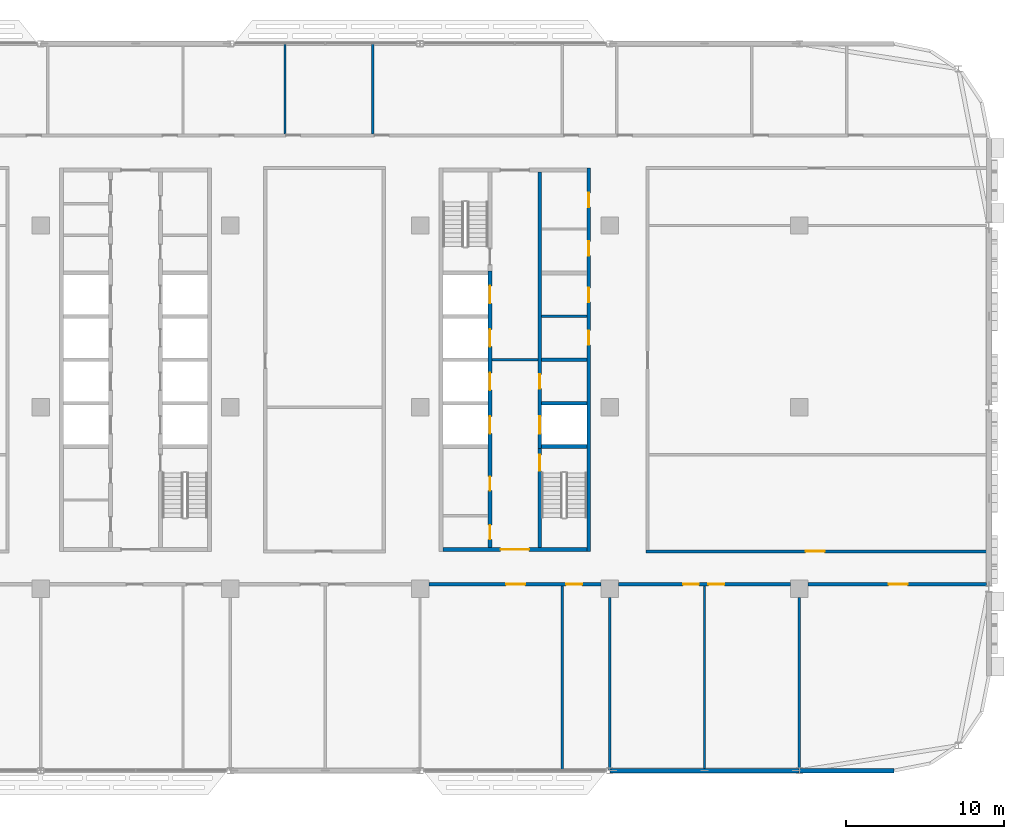
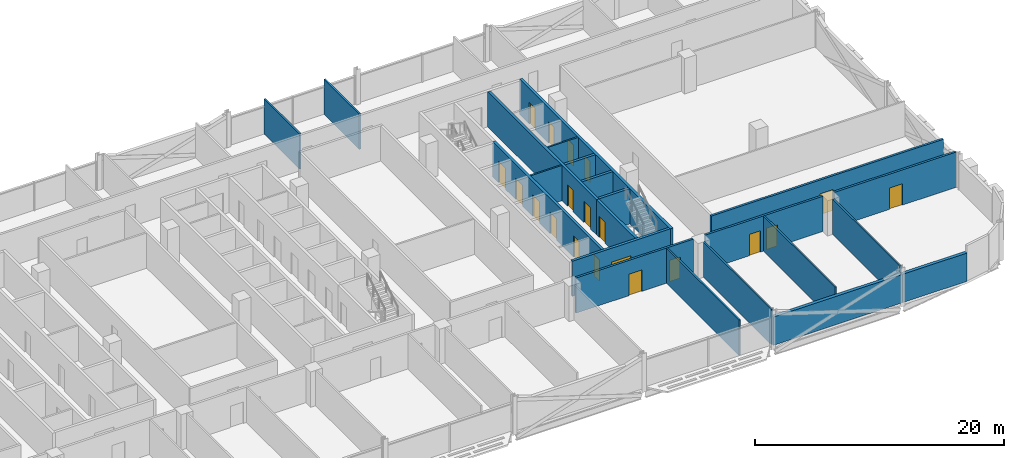
# One storey, part 17 of 30: 22 walls, 20 doors, 20 openings.
"""IFC4 building model written with IfcOpenShell, lengths in metres."""

from ifc_helpers import new_model, si_unit, direction, frame, frame_2d, origin, place, context, subcontext, project, spatial, rectangle, extrude, material, layer, layer_set, type_object, element, fill, save


model = new_model("IFC4")

# Units and contexts
model_context = context("Model", 3, precision=1e-05, world=origin(), true_north=direction((0.0, 1.0)))
body_context = subcontext(model_context, "Body", "Model", "MODEL_VIEW")
ifc_project = project(units=[si_unit("LENGTHUNIT", "METRE"), si_unit("AREAUNIT", "SQUARE_METRE"), si_unit("VOLUMEUNIT", "CUBIC_METRE"), si_unit("PLANEANGLEUNIT", "RADIAN"), si_unit("MASSUNIT", "GRAM", prefix="KILO")], contexts=[model_context])

# Site, building, storey
site_placement = place(None, origin())
site = spatial("IfcSite", under=ifc_project, at=site_placement, CompositionType="ELEMENT")
building_placement = place(site_placement, origin())
building = spatial("IfcBuilding", under=site, at=building_placement, Name="Mahtab Terrace Research Tower", CompositionType="ELEMENT")
storey_placement = place(building_placement, frame((0.0, 0.0, 201.5)))
storey = spatial("IfcBuildingStorey", under=building, at=storey_placement, Name="L48", CompositionType="ELEMENT", Elevation=201.5)

# Walls
ifc_material_1 = material(Name="Gypsum board partition")
ifc_layer_1 = layer(ifc_material_1, 0.14990234375)
ifc_layer_set_1 = layer_set([ifc_layer_1], Name="Core partition 150")
wall_type_1 = type_object("IfcWallType", Name="Core partition 150", PredefinedType="PARTITIONING", material=ifc_layer_set_1)
wall_1_placement = place(storey_placement, frame((22.550048828125, 3.0, 0.0), z_axis=(0.0, 0.0, 1.0), x_axis=(1.0, 0.0, 0.0)))
element("IfcWall", 1, at=wall_1_placement, inside=storey, type_object=wall_type_1, Name="Core wall C ffl", PredefinedType="PARTITIONING", context=body_context, shape_type="SweptSolid", body=[
    extrude(rectangle(XDim=2.89990234375, YDim=0.14990234375, at=frame_2d((1.449951171875, 0.0))), origin(), (0.0, 0.0, 1.0), 3.4599609375),
])
wall_2_placement = place(storey_placement, frame((25.699951171875, 5.75, 0.0), z_axis=(0.0, 0.0, 1.0), x_axis=(1.0, 0.0, 0.0)))
element("IfcWall", 2, at=wall_2_placement, inside=storey, type_object=wall_type_1, Name="Core wall C pEL275", PredefinedType="PARTITIONING", context=body_context, shape_type="SweptSolid", body=[
    extrude(rectangle(XDim=2.85009765625, YDim=0.14990234375, at=frame_2d((1.425048828125, 0.0))), origin(), (0.0, 0.0, 1.0), 3.4599609375),
])

# Wall, openings, doors
ifc_material_2 = material(Name="Concrete C70/85", Category="concrete")
ifc_layer_2 = layer(ifc_material_2, 0.25)
ifc_layer_set_2 = layer_set([ifc_layer_2], Name="Core wall 250")
wall_type_2 = type_object("IfcWallType", Name="Core wall 250", PredefinedType="SOLIDWALL", material=ifc_layer_set_2)
wall_3_placement = place(storey_placement, frame((28.675048828125, -9.125, 0.0), z_axis=(0.0, 0.0, 1.0), x_axis=(0.0, 1.0, 0.0)))
wall_3 = element("IfcWall", 3, at=wall_3_placement, inside=storey, type_object=wall_type_2, Name="Core wall C outerE", PredefinedType="SOLIDWALL", context=body_context, shape_type="SweptSolid", body=[
    extrude(rectangle(XDim=24.25, YDim=0.25, at=frame_2d((12.125, 0.0))), origin(), (0.0, 0.0, 1.0), 3.4599609375),
])
opening_1_placement = place(wall_3_placement, frame((13.074951171875, 0.0, 0.0)))
opening_1 = element("IfcOpeningElement", 4, at=opening_1_placement, cuts=wall_3, Name="Opening C-R2", PredefinedType="OPENING", context=body_context, shape_type="SweptSolid", body=[
    extrude(rectangle(XDim=0.89990234375, YDim=2.10009765625, at=frame_2d((0.449951171875, 1.050048828125))), frame((0.0, 0.135009765625, 0.0), z_axis=(0.0, -1.0, 0.0), x_axis=(1.0, 0.0, 0.0)), (0.0, 0.0, 1.0), 0.27001953125),
])
opening_2_placement = place(wall_3_placement, frame((15.77490234375, 0.0, 0.0)))
opening_2 = element("IfcOpeningElement", 5, at=opening_2_placement, cuts=wall_3, Name="Opening C-R3", PredefinedType="OPENING", context=body_context, shape_type="SweptSolid", body=[
    extrude(rectangle(XDim=0.89990234375, YDim=2.10009765625, at=frame_2d((0.449951171875, 1.050048828125))), frame((0.0, 0.135009765625, 0.0), z_axis=(0.0, -1.0, 0.0), x_axis=(1.0, 0.0, 0.0)), (0.0, 0.0, 1.0), 0.27001953125),
])
opening_3_placement = place(wall_3_placement, frame((18.71240234375, 0.0, 0.0)))
opening_3 = element("IfcOpeningElement", 6, at=opening_3_placement, cuts=wall_3, Name="Opening C-R6", PredefinedType="OPENING", context=body_context, shape_type="SweptSolid", body=[
    extrude(rectangle(XDim=0.89990234375, YDim=2.10009765625, at=frame_2d((0.449951171875, 1.050048828125))), frame((0.0, 0.135009765625, 0.0), z_axis=(0.0, -1.0, 0.0), x_axis=(1.0, 0.0, 0.0)), (0.0, 0.0, 1.0), 0.27001953125),
])
opening_4_placement = place(wall_3_placement, frame((21.78759765625, 0.0, 0.0)))
opening_4 = element("IfcOpeningElement", 7, at=opening_4_placement, cuts=wall_3, Name="Opening C-R7", PredefinedType="OPENING", context=body_context, shape_type="SweptSolid", body=[
    extrude(rectangle(XDim=0.89990234375, YDim=2.10009765625, at=frame_2d((0.449951171875, 1.050048828125))), frame((0.0, 0.135009765625, 0.0), z_axis=(0.0, -1.0, 0.0), x_axis=(1.0, 0.0, 0.0)), (0.0, 0.0, 1.0), 0.27001953125),
])
ifc_material_3 = material(Name="Steel fire door", Category="steel")
door_type_1 = type_object("IfcDoorType", Name="Room door 900x2100 1 HR", OperationType="NOTDEFINED", PredefinedType="DOOR", material=ifc_material_3)
door_1_placement = place(opening_1_placement, origin())
door_1 = element("IfcDoor", 8, at=door_1_placement, inside=storey, type_object=door_type_1, Name="Document store door", OperationType="SINGLE_SWING_RIGHT", OverallHeight=2.10009765625, OverallWidth=0.89990234375, PredefinedType="DOOR", context=body_context, shape_type="SweptSolid", body=[
    extrude(rectangle(XDim=0.89990234375, YDim=2.10009765625, at=frame_2d((0.449951171875, 1.050048828125))), frame((0.0, 0.02490234375, 0.0), z_axis=(0.0, -1.0, 0.0), x_axis=(1.0, 0.0, 0.0)), (0.0, 0.0, 1.0), 0.050048828125),
])
fill(opening_1, door_1)
door_2_placement = place(opening_2_placement, origin())
door_2 = element("IfcDoor", 9, at=door_2_placement, inside=storey, type_object=door_type_1, Name="IT equipment room door", OperationType="SINGLE_SWING_LEFT", OverallHeight=2.10009765625, OverallWidth=0.89990234375, PredefinedType="DOOR", context=body_context, shape_type="SweptSolid", body=[
    extrude(rectangle(XDim=0.89990234375, YDim=2.10009765625, at=frame_2d((0.449951171875, 1.050048828125))), frame((0.0, 0.02490234375, 0.0), z_axis=(0.0, -1.0, 0.0), x_axis=(1.0, 0.0, 0.0)), (0.0, 0.0, 1.0), 0.050048828125),
])
fill(opening_2, door_2)
door_3_placement = place(opening_3_placement, origin())
door_3 = element("IfcDoor", 10, at=door_3_placement, inside=storey, type_object=door_type_1, Name="Mechanical riser room door", OperationType="SINGLE_SWING_RIGHT", OverallHeight=2.10009765625, OverallWidth=0.89990234375, PredefinedType="DOOR", context=body_context, shape_type="SweptSolid", body=[
    extrude(rectangle(XDim=0.89990234375, YDim=2.10009765625, at=frame_2d((0.449951171875, 1.050048828125))), frame((0.0, 0.02490234375, 0.0), z_axis=(0.0, -1.0, 0.0), x_axis=(1.0, 0.0, 0.0)), (0.0, 0.0, 1.0), 0.050048828125),
])
fill(opening_3, door_3)
door_4_placement = place(opening_4_placement, origin())
door_4 = element("IfcDoor", 11, at=door_4_placement, inside=storey, type_object=door_type_1, Name="Chemical store door", OperationType="SINGLE_SWING_LEFT", OverallHeight=2.10009765625, OverallWidth=0.89990234375, PredefinedType="DOOR", context=body_context, shape_type="SweptSolid", body=[
    extrude(rectangle(XDim=0.89990234375, YDim=2.10009765625, at=frame_2d((0.449951171875, 1.050048828125))), frame((0.0, 0.02490234375, 0.0), z_axis=(0.0, -1.0, 0.0), x_axis=(1.0, 0.0, 0.0)), (0.0, 0.0, 1.0), 0.050048828125),
])
fill(opening_4, door_4)

# Wall, opening, door
wall_4_placement = place(storey_placement, frame((28.550048828125, -9.0, 0.0), z_axis=(0.0, 0.0, 1.0), x_axis=(-1.0, 0.0, 0.0)))
wall_4 = element("IfcWall", 12, at=wall_4_placement, inside=storey, type_object=wall_type_2, Name="Core wall C endS", PredefinedType="SOLIDWALL", context=body_context, shape_type="SweptSolid", body=[
    extrude(rectangle(XDim=9.10009765625, YDim=0.25, at=frame_2d((4.550048828125, 0.0))), origin(), (0.0, 0.0, 1.0), 3.4599609375),
])
opening_5_placement = place(wall_4_placement, frame((3.64990234375, 0.0, 0.0)))
opening_5 = element("IfcOpeningElement", 13, at=opening_5_placement, cuts=wall_4, Name="Opening C-S1", PredefinedType="OPENING", context=body_context, shape_type="SweptSolid", body=[
    extrude(rectangle(XDim=1.800048828125, YDim=2.10009765625, at=frame_2d((0.89990234375, 1.050048828125))), frame((0.0, 0.135009765625, 0.0), z_axis=(0.0, -1.0, 0.0), x_axis=(1.0, 0.0, 0.0)), (0.0, 0.0, 1.0), 0.27001953125),
])
door_type_2 = type_object("IfcDoorType", Name="Lobby double door 1800x2100 1 HR", OperationType="DOUBLE_DOOR_SINGLE_SWING", PredefinedType="DOOR", material=ifc_material_3)
door_5_placement = place(opening_5_placement, origin())
door_5 = element("IfcDoor", 14, at=door_5_placement, inside=storey, type_object=door_type_2, Name="Core entrance door C S", OperationType="DOUBLE_DOOR_SINGLE_SWING", OverallHeight=2.10009765625, OverallWidth=1.800048828125, PredefinedType="DOOR", context=body_context, shape_type="SweptSolid", body=[
    extrude(rectangle(XDim=1.800048828125, YDim=2.10009765625, at=frame_2d((0.89990234375, 1.050048828125))), frame((0.0, 0.02490234375, 0.0), z_axis=(0.0, -1.0, 0.0), x_axis=(1.0, 0.0, 0.0)), (0.0, 0.0, 1.0), 0.050048828125),
])
fill(opening_5, door_5)

# Wall, openings, doors
wall_5_placement = place(storey_placement, frame((22.425048828125, -8.875, 0.0), z_axis=(0.0, 0.0, 1.0), x_axis=(0.0, 1.0, 0.0)))
wall_5 = element("IfcWall", 15, at=wall_5_placement, inside=storey, type_object=wall_type_2, Name="Core wall C innerWSL", PredefinedType="SOLIDWALL", context=body_context, shape_type="SweptSolid", body=[
    extrude(rectangle(XDim=17.5, YDim=0.25, at=frame_2d((8.75, 0.0))), origin(), (0.0, 0.0, 1.0), 3.4599609375),
])
opening_6_placement = place(wall_5_placement, frame((7.199951171875, 0.0, 0.0)))
opening_6 = element("IfcOpeningElement", 16, at=opening_6_placement, cuts=wall_5, Name="Opening LD17-L48", PredefinedType="OPENING", context=body_context, shape_type="SweptSolid", body=[
    extrude(rectangle(XDim=1.10009765625, YDim=2.10009765625, at=frame_2d((0.550048828125, 1.050048828125))), frame((0.0, 0.135009765625, 0.0), z_axis=(0.0, -1.0, 0.0), x_axis=(1.0, 0.0, 0.0)), (0.0, 0.0, 1.0), 0.27001953125),
])
opening_7_placement = place(wall_5_placement, frame((9.949951171875, 0.0, 0.0)))
opening_7 = element("IfcOpeningElement", 17, at=opening_7_placement, cuts=wall_5, Name="Opening LD18-L48", PredefinedType="OPENING", context=body_context, shape_type="SweptSolid", body=[
    extrude(rectangle(XDim=1.10009765625, YDim=2.10009765625, at=frame_2d((0.550048828125, 1.050048828125))), frame((0.0, 0.135009765625, 0.0), z_axis=(0.0, -1.0, 0.0), x_axis=(1.0, 0.0, 0.0)), (0.0, 0.0, 1.0), 0.27001953125),
])
opening_8_placement = place(wall_5_placement, frame((12.699951171875, 0.0, 0.0)))
opening_8 = element("IfcOpeningElement", 18, at=opening_8_placement, cuts=wall_5, Name="Opening LD19-L48", PredefinedType="OPENING", context=body_context, shape_type="SweptSolid", body=[
    extrude(rectangle(XDim=1.10009765625, YDim=2.10009765625, at=frame_2d((0.550048828125, 1.050048828125))), frame((0.0, 0.135009765625, 0.0), z_axis=(0.0, -1.0, 0.0), x_axis=(1.0, 0.0, 0.0)), (0.0, 0.0, 1.0), 0.27001953125),
])
opening_9_placement = place(wall_5_placement, frame((15.449951171875, 0.0, 0.0)))
opening_9 = element("IfcOpeningElement", 19, at=opening_9_placement, cuts=wall_5, Name="Opening LD20-L48", PredefinedType="OPENING", context=body_context, shape_type="SweptSolid", body=[
    extrude(rectangle(XDim=1.10009765625, YDim=2.10009765625, at=frame_2d((0.550048828125, 1.050048828125))), frame((0.0, 0.135009765625, 0.0), z_axis=(0.0, -1.0, 0.0), x_axis=(1.0, 0.0, 0.0)), (0.0, 0.0, 1.0), 0.27001953125),
])
opening_10_placement = place(wall_5_placement, frame((0.512451171875, 0.0, 0.0)))
opening_10 = element("IfcOpeningElement", 20, at=opening_10_placement, cuts=wall_5, Name="Opening C-R4", PredefinedType="OPENING", context=body_context, shape_type="SweptSolid", body=[
    extrude(rectangle(XDim=0.89990234375, YDim=2.10009765625, at=frame_2d((0.449951171875, 1.050048828125))), frame((0.0, 0.135009765625, 0.0), z_axis=(0.0, -1.0, 0.0), x_axis=(1.0, 0.0, 0.0)), (0.0, 0.0, 1.0), 0.27001953125),
])
opening_11_placement = place(wall_5_placement, frame((3.58740234375, 0.0, 0.0)))
opening_11 = element("IfcOpeningElement", 21, at=opening_11_placement, cuts=wall_5, Name="Opening C-R5", PredefinedType="OPENING", context=body_context, shape_type="SweptSolid", body=[
    extrude(rectangle(XDim=0.89990234375, YDim=2.10009765625, at=frame_2d((0.449951171875, 1.050048828125))), frame((0.0, 0.135009765625, 0.0), z_axis=(0.0, -1.0, 0.0), x_axis=(1.0, 0.0, 0.0)), (0.0, 0.0, 1.0), 0.27001953125),
])
ifc_material_4 = material(Name="Stainless steel AISI 304", Category="steel")
door_type_3 = type_object("IfcDoorType", Name="Landing door 1100x2100", OperationType="DOUBLE_DOOR_SLIDING", PredefinedType="DOOR", material=ifc_material_4)
door_6_placement = place(opening_6_placement, origin())
door_6 = element("IfcDoor", 22, at=door_6_placement, inside=storey, type_object=door_type_3, Name="Landing door SV1 L48", OperationType="DOUBLE_DOOR_SLIDING", OverallHeight=2.10009765625, OverallWidth=1.10009765625, PredefinedType="DOOR", context=body_context, shape_type="SweptSolid", body=[
    extrude(rectangle(XDim=1.10009765625, YDim=2.10009765625, at=frame_2d((0.550048828125, 1.050048828125))), frame((0.0, 0.02490234375, 0.0), z_axis=(0.0, -1.0, 0.0), x_axis=(1.0, 0.0, 0.0)), (0.0, 0.0, 1.0), 0.050048828125),
])
fill(opening_6, door_6)
door_7_placement = place(opening_7_placement, origin())
door_7 = element("IfcDoor", 23, at=door_7_placement, inside=storey, type_object=door_type_3, Name="Landing door SV2 L48", OperationType="DOUBLE_DOOR_SLIDING", OverallHeight=2.10009765625, OverallWidth=1.10009765625, PredefinedType="DOOR", context=body_context, shape_type="SweptSolid", body=[
    extrude(rectangle(XDim=1.10009765625, YDim=2.10009765625, at=frame_2d((0.550048828125, 1.050048828125))), frame((0.0, 0.02490234375, 0.0), z_axis=(0.0, -1.0, 0.0), x_axis=(1.0, 0.0, 0.0)), (0.0, 0.0, 1.0), 0.050048828125),
])
fill(opening_7, door_7)
door_8_placement = place(opening_8_placement, origin())
door_8 = element("IfcDoor", 24, at=door_8_placement, inside=storey, type_object=door_type_3, Name="Landing door FF1 L48", OperationType="DOUBLE_DOOR_SLIDING", OverallHeight=2.10009765625, OverallWidth=1.10009765625, PredefinedType="DOOR", context=body_context, shape_type="SweptSolid", body=[
    extrude(rectangle(XDim=1.10009765625, YDim=2.10009765625, at=frame_2d((0.550048828125, 1.050048828125))), frame((0.0, 0.02490234375, 0.0), z_axis=(0.0, -1.0, 0.0), x_axis=(1.0, 0.0, 0.0)), (0.0, 0.0, 1.0), 0.050048828125),
])
fill(opening_8, door_8)
door_9_placement = place(opening_9_placement, origin())
door_9 = element("IfcDoor", 25, at=door_9_placement, inside=storey, type_object=door_type_3, Name="Landing door FF2 L48", OperationType="DOUBLE_DOOR_SLIDING", OverallHeight=2.10009765625, OverallWidth=1.10009765625, PredefinedType="DOOR", context=body_context, shape_type="SweptSolid", body=[
    extrude(rectangle(XDim=1.10009765625, YDim=2.10009765625, at=frame_2d((0.550048828125, 1.050048828125))), frame((0.0, 0.02490234375, 0.0), z_axis=(0.0, -1.0, 0.0), x_axis=(1.0, 0.0, 0.0)), (0.0, 0.0, 1.0), 0.050048828125),
])
fill(opening_9, door_9)
door_10_placement = place(opening_10_placement, origin())
door_10 = element("IfcDoor", 26, at=door_10_placement, inside=storey, type_object=door_type_1, Name="Accessible WC door", OperationType="SINGLE_SWING_RIGHT", OverallHeight=2.10009765625, OverallWidth=0.89990234375, PredefinedType="DOOR", context=body_context, shape_type="SweptSolid", body=[
    extrude(rectangle(XDim=0.89990234375, YDim=2.10009765625, at=frame_2d((0.449951171875, 1.050048828125))), frame((0.0, 0.02490234375, 0.0), z_axis=(0.0, -1.0, 0.0), x_axis=(1.0, 0.0, 0.0)), (0.0, 0.0, 1.0), 0.050048828125),
])
fill(opening_10, door_10)
door_11_placement = place(opening_11_placement, origin())
door_11 = element("IfcDoor", 27, at=door_11_placement, inside=storey, type_object=door_type_1, Name="WC block door", OperationType="SINGLE_SWING_LEFT", OverallHeight=2.10009765625, OverallWidth=0.89990234375, PredefinedType="DOOR", context=body_context, shape_type="SweptSolid", body=[
    extrude(rectangle(XDim=0.89990234375, YDim=2.10009765625, at=frame_2d((0.449951171875, 1.050048828125))), frame((0.0, 0.02490234375, 0.0), z_axis=(0.0, -1.0, 0.0), x_axis=(1.0, 0.0, 0.0)), (0.0, 0.0, 1.0), 0.050048828125),
])
fill(opening_11, door_11)

# Wall, opening, door
wall_6_placement = place(storey_placement, frame((25.574951171875, -8.875, 0.0), z_axis=(0.0, 0.0, 1.0), x_axis=(0.0, 1.0, 0.0)))
wall_6 = element("IfcWall", 28, at=wall_6_placement, inside=storey, type_object=wall_type_2, Name="Core wall C innerES", PredefinedType="SOLIDWALL", context=body_context, shape_type="SweptSolid", body=[
    extrude(rectangle(XDim=6.25, YDim=0.25, at=frame_2d((3.125, 0.0))), origin(), (0.0, 0.0, 1.0), 3.4599609375),
])
opening_12_placement = place(wall_6_placement, frame((4.85009765625, 0.0, 0.0)))
opening_12 = element("IfcOpeningElement", 29, at=opening_12_placement, cuts=wall_6, Name="Opening C-ST4", PredefinedType="OPENING", context=body_context, shape_type="SweptSolid", body=[
    extrude(rectangle(XDim=1.0, YDim=2.10009765625, at=frame_2d((0.5, 1.050048828125))), frame((0.0, 0.135009765625, 0.0), z_axis=(0.0, -1.0, 0.0), x_axis=(1.0, 0.0, 0.0)), (0.0, 0.0, 1.0), 0.27001953125),
])
door_type_4 = type_object("IfcDoorType", Name="Stair door 1000x2100 1.5 HR", OperationType="NOTDEFINED", PredefinedType="DOOR", material=ifc_material_3)
door_12_placement = place(opening_12_placement, origin())
door_12 = element("IfcDoor", 30, at=door_12_placement, inside=storey, type_object=door_type_4, Name="Stair door ST4 L48", OperationType="SINGLE_SWING_LEFT", OverallHeight=2.10009765625, OverallWidth=1.0, PredefinedType="DOOR", context=body_context, shape_type="SweptSolid", body=[
    extrude(rectangle(XDim=1.0, YDim=2.10009765625, at=frame_2d((0.5, 1.050048828125))), frame((0.0, 0.02490234375, 0.0), z_axis=(0.0, -1.0, 0.0), x_axis=(1.0, 0.0, 0.0)), (0.0, 0.0, 1.0), 0.050048828125),
])
fill(opening_12, door_12)

# Wall, openings, doors
wall_7_placement = place(storey_placement, frame((25.574951171875, 14.875, 0.0), z_axis=(0.0, 0.0, 1.0), x_axis=(0.0, -1.0, 0.0)))
wall_7 = element("IfcWall", 31, at=wall_7_placement, inside=storey, type_object=wall_type_2, Name="Core wall C innerELN", PredefinedType="SOLIDWALL", context=body_context, shape_type="SweptSolid", body=[
    extrude(rectangle(XDim=17.5, YDim=0.25, at=frame_2d((8.75, 0.0))), origin(), (0.0, 0.0, 1.0), 3.4599609375),
])
opening_13_placement = place(wall_7_placement, frame((15.449951171875, 0.0, 0.0)))
opening_13 = element("IfcOpeningElement", 32, at=opening_13_placement, cuts=wall_7, Name="Opening LD21-L48", PredefinedType="OPENING", context=body_context, shape_type="SweptSolid", body=[
    extrude(rectangle(XDim=1.10009765625, YDim=2.10009765625, at=frame_2d((0.550048828125, 1.050048828125))), frame((0.0, 0.135009765625, 0.0), z_axis=(0.0, -1.0, 0.0), x_axis=(1.0, 0.0, 0.0)), (0.0, 0.0, 1.0), 0.27001953125),
])
opening_14_placement = place(wall_7_placement, frame((12.800048828125, 0.0, 0.0)))
opening_14 = element("IfcOpeningElement", 33, at=opening_14_placement, cuts=wall_7, Name="Opening C-R1", PredefinedType="OPENING", context=body_context, shape_type="SweptSolid", body=[
    extrude(rectangle(XDim=0.89990234375, YDim=2.10009765625, at=frame_2d((0.449951171875, 1.050048828125))), frame((0.0, 0.135009765625, 0.0), z_axis=(0.0, -1.0, 0.0), x_axis=(1.0, 0.0, 0.0)), (0.0, 0.0, 1.0), 0.27001953125),
])
door_13_placement = place(opening_13_placement, origin())
door_13 = element("IfcDoor", 34, at=door_13_placement, inside=storey, type_object=door_type_3, Name="Landing door SV3 L48", OperationType="DOUBLE_DOOR_SLIDING", OverallHeight=2.10009765625, OverallWidth=1.10009765625, PredefinedType="DOOR", context=body_context, shape_type="SweptSolid", body=[
    extrude(rectangle(XDim=1.10009765625, YDim=2.10009765625, at=frame_2d((0.550048828125, 1.050048828125))), frame((0.0, 0.02490234375, 0.0), z_axis=(0.0, -1.0, 0.0), x_axis=(1.0, 0.0, 0.0)), (0.0, 0.0, 1.0), 0.050048828125),
])
fill(opening_13, door_13)
door_14_placement = place(opening_14_placement, origin())
door_14 = element("IfcDoor", 35, at=door_14_placement, inside=storey, type_object=door_type_1, Name="Plant room door", OperationType="SINGLE_SWING_LEFT", OverallHeight=2.10009765625, OverallWidth=0.89990234375, PredefinedType="DOOR", context=body_context, shape_type="SweptSolid", body=[
    extrude(rectangle(XDim=0.89990234375, YDim=2.10009765625, at=frame_2d((0.449951171875, 1.050048828125))), frame((0.0, 0.02490234375, 0.0), z_axis=(0.0, -1.0, 0.0), x_axis=(1.0, 0.0, 0.0)), (0.0, 0.0, 1.0), 0.050048828125),
])
fill(opening_14, door_14)

# Walls
for number, where, z_axis, x_axis, name in (
    (36, (25.699951171875, -2.5, 0.0), (0.0, 0.0, 1.0), (1.0, 0.0, 0.0), "Core wall C divE0"),
    (37, (25.699951171875, 0.25, 0.0), (0.0, 0.0, 1.0), (1.0, 0.0, 0.0), "Core wall C divE1"),
    (38, (25.699951171875, 3.0, 0.0), (0.0, 0.0, 1.0), (1.0, 0.0, 0.0), "Core wall C divE2"),
):
    element("IfcWall", number, at=place(storey_placement, frame(where, z_axis=z_axis, x_axis=x_axis)), inside=storey, type_object=wall_type_2, Name=name, PredefinedType="SOLIDWALL", context=body_context, shape_type="SweptSolid", body=[
        extrude(rectangle(XDim=2.85009765625, YDim=0.25, at=frame_2d((1.425048828125, 0.0))), origin(), (0.0, 0.0, 1.0), 3.4599609375),
    ])
ifc_material_5 = material(Name="Black aluminium cladding panel", Category="aluminium")
ifc_layer_3 = layer(ifc_material_5, 0.300048828125)
ifc_layer_set_3 = layer_set([ifc_layer_3], Name="Opaque facade wall 300")
wall_type_3 = type_object("IfcWallType", Name="Opaque facade wall 300", PredefinedType="NOTDEFINED", material=ifc_layer_set_3)
wall_8_placement = place(storey_placement, frame((30.012451171875, -23.0, 0.0), z_axis=(0.0, 0.0, 1.0), x_axis=(1.0, 0.0, 0.0)))
element("IfcWall", 39, at=wall_8_placement, inside=storey, type_object=wall_type_3, Name="Opaque facade wall L48 S29", PredefinedType="NOTDEFINED", context=body_context, shape_type="SweptSolid", body=[
    extrude(rectangle(XDim=11.97509765625, YDim=0.300048828125, at=frame_2d((5.987548828125, 0.0))), origin(), (0.0, 0.0, 1.0), 2.78173828125),
])
wall_9_placement = place(storey_placement, frame((42.012451171875, -23.0, 0.0), z_axis=(0.0, 0.0, 1.0), x_axis=(1.0, 0.0, 0.0)))
element("IfcWall", 40, at=wall_9_placement, inside=storey, type_object=wall_type_3, Name="Opaque facade wall L48 S30", PredefinedType="NOTDEFINED", context=body_context, shape_type="SweptSolid", body=[
    extrude(rectangle(XDim=5.987548828125, YDim=0.300048828125, at=frame_2d((2.99365234375, 0.0))), origin(), (0.0, 0.0, 1.0), 2.78173828125),
])

# Wall, openings, doors
ifc_material_6 = material(Name="Gypsum board corridor wall on steel studs", Category="steel")
ifc_layer_4 = layer(ifc_material_6, 0.199951171875)
ifc_layer_set_4 = layer_set([ifc_layer_4], Name="WALL CORRIDOR 200")
wall_type_4 = type_object("IfcWallType", Name="WALL CORRIDOR 200", PredefinedType="PARTITIONING", material=ifc_layer_set_4)
wall_10_placement = place(storey_placement, frame((18.550048828125, -11.199951171875, 0.0), z_axis=(0.0, 0.0, 1.0), x_axis=(1.0, 0.0, 0.0)))
wall_10 = element("IfcWall", 41, at=wall_10_placement, inside=storey, type_object=wall_type_4, Name="L48-W006", PredefinedType="PARTITIONING", context=body_context, shape_type="SweptSolid", body=[
    extrude(rectangle(XDim=10.89990234375, YDim=0.199951171875, at=frame_2d((5.449951171875, 0.0))), origin(), (0.0, 0.0, 1.0), 3.4599609375),
])
opening_15_placement = place(wall_10_placement, frame((4.89990234375, 0.0, 0.0)))
opening_15 = element("IfcOpeningElement", 42, at=opening_15_placement, cuts=wall_10, Name="Opening L48-111", PredefinedType="OPENING", context=body_context, shape_type="SweptSolid", body=[
    extrude(rectangle(XDim=1.199951171875, YDim=2.10009765625, at=frame_2d((0.60009765625, 1.050048828125))), frame((0.0, 0.10986328125, 0.0), z_axis=(0.0, -1.0, 0.0), x_axis=(1.0, 0.0, 0.0)), (0.0, 0.0, 1.0), 0.219970703125),
])
opening_16_placement = place(wall_10_placement, frame((8.699951171875, 0.0, 0.0)))
opening_16 = element("IfcOpeningElement", 43, at=opening_16_placement, cuts=wall_10, Name="Opening L48-112", PredefinedType="OPENING", context=body_context, shape_type="SweptSolid", body=[
    extrude(rectangle(XDim=1.0, YDim=2.10009765625, at=frame_2d((0.5, 1.050048828125))), frame((0.0, 0.10986328125, 0.0), z_axis=(0.0, -1.0, 0.0), x_axis=(1.0, 0.0, 0.0)), (0.0, 0.0, 1.0), 0.219970703125),
])
ifc_material_7 = material(Name="Timber door leaf in steel frame", Category="steel")
door_type_5 = type_object("IfcDoorType", Name="DOOR 1000X2100 FD30S", OperationType="SINGLE_SWING_LEFT", PredefinedType="DOOR", material=ifc_material_7)
door_15_placement = place(opening_16_placement, origin())
door_15 = element("IfcDoor", 44, at=door_15_placement, inside=storey, type_object=door_type_5, Name="Door L48-112", OperationType="SINGLE_SWING_LEFT", OverallHeight=2.10009765625, OverallWidth=1.0, PredefinedType="DOOR", context=body_context, shape_type="SweptSolid", body=[
    extrude(rectangle(XDim=1.0, YDim=2.10009765625, at=frame_2d((0.5, 1.050048828125))), frame((0.0, 0.02490234375, 0.0), z_axis=(0.0, -1.0, 0.0), x_axis=(1.0, 0.0, 0.0)), (0.0, 0.0, 1.0), 0.050048828125),
])
fill(opening_16, door_15)
door_type_6 = type_object("IfcDoorType", Name="DOOR 1200X2100 FD30S", OperationType="SINGLE_SWING_LEFT", PredefinedType="DOOR", material=ifc_material_7)
door_16_placement = place(opening_15_placement, origin())
door_16 = element("IfcDoor", 45, at=door_16_placement, inside=storey, type_object=door_type_6, Name="Door L48-111", OperationType="SINGLE_SWING_LEFT", OverallHeight=2.10009765625, OverallWidth=1.199951171875, PredefinedType="DOOR", context=body_context, shape_type="SweptSolid", body=[
    extrude(rectangle(XDim=1.199951171875, YDim=2.10009765625, at=frame_2d((0.60009765625, 1.050048828125))), frame((0.0, 0.02490234375, 0.0), z_axis=(0.0, -1.0, 0.0), x_axis=(1.0, 0.0, 0.0)), (0.0, 0.0, 1.0), 0.050048828125),
])
fill(opening_15, door_16)

wall_11_placement = place(storey_placement, frame((30.550048828125, -11.199951171875, 0.0), z_axis=(0.0, 0.0, 1.0), x_axis=(1.0, 0.0, 0.0)))
wall_11 = element("IfcWall", 46, at=wall_11_placement, inside=storey, type_object=wall_type_4, Name="L48-W007", PredefinedType="PARTITIONING", context=body_context, shape_type="SweptSolid", body=[
    extrude(rectangle(XDim=10.89990234375, YDim=0.199951171875, at=frame_2d((5.449951171875, 0.0))), origin(), (0.0, 0.0, 1.0), 3.4599609375),
])
opening_17_placement = place(wall_11_placement, frame((4.10009765625, 0.0, 0.0)))
opening_17 = element("IfcOpeningElement", 47, at=opening_17_placement, cuts=wall_11, Name="Opening L48-113", PredefinedType="OPENING", context=body_context, shape_type="SweptSolid", body=[
    extrude(rectangle(XDim=1.0, YDim=2.10009765625, at=frame_2d((0.5, 1.050048828125))), frame((0.0, 0.10986328125, 0.0), z_axis=(0.0, -1.0, 0.0), x_axis=(1.0, 0.0, 0.0)), (0.0, 0.0, 1.0), 0.219970703125),
])
opening_18_placement = place(wall_11_placement, frame((5.699951171875, 0.0, 0.0)))
opening_18 = element("IfcOpeningElement", 48, at=opening_18_placement, cuts=wall_11, Name="Opening L48-114", PredefinedType="OPENING", context=body_context, shape_type="SweptSolid", body=[
    extrude(rectangle(XDim=1.0, YDim=2.10009765625, at=frame_2d((0.5, 1.050048828125))), frame((0.0, 0.10986328125, 0.0), z_axis=(0.0, -1.0, 0.0), x_axis=(1.0, 0.0, 0.0)), (0.0, 0.0, 1.0), 0.219970703125),
])
door_17_placement = place(opening_17_placement, origin())
door_17 = element("IfcDoor", 49, at=door_17_placement, inside=storey, type_object=door_type_5, Name="Door L48-113", OperationType="SINGLE_SWING_RIGHT", OverallHeight=2.10009765625, OverallWidth=1.0, PredefinedType="DOOR", context=body_context, shape_type="SweptSolid", body=[
    extrude(rectangle(XDim=1.0, YDim=2.10009765625, at=frame_2d((0.5, 1.050048828125))), frame((0.0, 0.02490234375, 0.0), z_axis=(0.0, -1.0, 0.0), x_axis=(1.0, 0.0, 0.0)), (0.0, 0.0, 1.0), 0.050048828125),
])
fill(opening_17, door_17)
door_18_placement = place(opening_18_placement, origin())
door_18 = element("IfcDoor", 50, at=door_18_placement, inside=storey, type_object=door_type_5, Name="Door L48-114", OperationType="SINGLE_SWING_LEFT", OverallHeight=2.10009765625, OverallWidth=1.0, PredefinedType="DOOR", context=body_context, shape_type="SweptSolid", body=[
    extrude(rectangle(XDim=1.0, YDim=2.10009765625, at=frame_2d((0.5, 1.050048828125))), frame((0.0, 0.02490234375, 0.0), z_axis=(0.0, -1.0, 0.0), x_axis=(1.0, 0.0, 0.0)), (0.0, 0.0, 1.0), 0.050048828125),
])
fill(opening_18, door_18)

# Wall, opening, door
wall_12_placement = place(storey_placement, frame((42.550048828125, -11.199951171875, 0.0), z_axis=(0.0, 0.0, 1.0), x_axis=(1.0, 0.0, 0.0)))
wall_12 = element("IfcWall", 51, at=wall_12_placement, inside=storey, type_object=wall_type_4, Name="L48-W008", PredefinedType="PARTITIONING", context=body_context, shape_type="SweptSolid", body=[
    extrude(rectangle(XDim=11.300048828125, YDim=0.199951171875, at=frame_2d((5.64990234375, 0.0))), origin(), (0.0, 0.0, 1.0), 3.4599609375),
])
opening_19_placement = place(wall_12_placement, frame((5.10009765625, 0.0, 0.0)))
opening_19 = element("IfcOpeningElement", 52, at=opening_19_placement, cuts=wall_12, Name="Opening L48-115", PredefinedType="OPENING", context=body_context, shape_type="SweptSolid", body=[
    extrude(rectangle(XDim=1.199951171875, YDim=2.10009765625, at=frame_2d((0.60009765625, 1.050048828125))), frame((0.0, 0.10986328125, 0.0), z_axis=(0.0, -1.0, 0.0), x_axis=(1.0, 0.0, 0.0)), (0.0, 0.0, 1.0), 0.219970703125),
])
door_19_placement = place(opening_19_placement, origin())
door_19 = element("IfcDoor", 53, at=door_19_placement, inside=storey, type_object=door_type_6, Name="Door L48-115", OperationType="SINGLE_SWING_LEFT", OverallHeight=2.10009765625, OverallWidth=1.199951171875, PredefinedType="DOOR", context=body_context, shape_type="SweptSolid", body=[
    extrude(rectangle(XDim=1.199951171875, YDim=2.10009765625, at=frame_2d((0.60009765625, 1.050048828125))), frame((0.0, 0.02490234375, 0.0), z_axis=(0.0, -1.0, 0.0), x_axis=(1.0, 0.0, 0.0)), (0.0, 0.0, 1.0), 0.050048828125),
])
fill(opening_19, door_19)

wall_13_placement = place(storey_placement, frame((32.300048828125, -9.125, 0.0), z_axis=(0.0, 0.0, 1.0), x_axis=(1.0, 0.0, 0.0)))
wall_13 = element("IfcWall", 54, at=wall_13_placement, inside=storey, type_object=wall_type_4, Name="L48-W012", PredefinedType="PARTITIONING", context=body_context, shape_type="SweptSolid", body=[
    extrude(rectangle(XDim=21.550048828125, YDim=0.199951171875, at=frame_2d((10.77490234375, 0.0))), origin(), (0.0, 0.0, 1.0), 3.4599609375),
])
opening_20_placement = place(wall_13_placement, frame((10.10009765625, 0.0, 0.0)))
opening_20 = element("IfcOpeningElement", 55, at=opening_20_placement, cuts=wall_13, Name="Opening L48-117", PredefinedType="OPENING", context=body_context, shape_type="SweptSolid", body=[
    extrude(rectangle(XDim=1.199951171875, YDim=2.10009765625, at=frame_2d((0.60009765625, 1.050048828125))), frame((0.0, 0.10986328125, 0.0), z_axis=(0.0, -1.0, 0.0), x_axis=(1.0, 0.0, 0.0)), (0.0, 0.0, 1.0), 0.219970703125),
])
door_20_placement = place(opening_20_placement, origin())
door_20 = element("IfcDoor", 56, at=door_20_placement, inside=storey, type_object=door_type_6, Name="Door L48-117", OperationType="SINGLE_SWING_LEFT", OverallHeight=2.10009765625, OverallWidth=1.199951171875, PredefinedType="DOOR", context=body_context, shape_type="SweptSolid", body=[
    extrude(rectangle(XDim=1.199951171875, YDim=2.10009765625, at=frame_2d((0.60009765625, 1.050048828125))), frame((0.0, 0.02490234375, 0.0), z_axis=(0.0, -1.0, 0.0), x_axis=(1.0, 0.0, 0.0)), (0.0, 0.0, 1.0), 0.050048828125),
])
fill(opening_20, door_20)

# Walls
ifc_material_8 = material(Name="Gypsum board partition on steel studs", Category="steel")
ifc_layer_5 = layer(ifc_material_8, 0.14990234375)
ifc_layer_set_5 = layer_set([ifc_layer_5], Name="WALL PARTITION 150")
wall_type_5 = type_object("IfcWallType", Name="WALL PARTITION 150", PredefinedType="PARTITIONING", material=ifc_layer_set_5)
for number, where, z_axis, x_axis, name in (
    (57, (9.449951171875, 17.300048828125, 0.0), (0.0, 0.0, 1.0), (0.0, 1.0, 0.0), "L48-W043"),
    (58, (15.0, 17.300048828125, 0.0), (0.0, 0.0, 1.0), (0.0, 1.0, 0.0), "L48-W045"),
):
    element("IfcWall", number, at=place(storey_placement, frame(where, z_axis=z_axis, x_axis=x_axis)), inside=storey, type_object=wall_type_5, Name=name, PredefinedType="PARTITIONING", context=body_context, shape_type="SweptSolid", body=[
        extrude(rectangle(XDim=5.675048828125, YDim=0.14990234375, at=frame_2d((2.83740234375, 0.0))), origin(), (0.0, 0.0, 1.0), 3.4599609375),
    ])
wall_14_placement = place(storey_placement, frame((27.0, -22.97509765625, 0.0), z_axis=(0.0, 0.0, 1.0), x_axis=(0.0, 1.0, 0.0)))
element("IfcWall", 59, at=wall_14_placement, inside=storey, type_object=wall_type_5, Name="L48-W048", PredefinedType="PARTITIONING", context=body_context, shape_type="SweptSolid", body=[
    extrude(rectangle(XDim=11.675048828125, YDim=0.14990234375, at=frame_2d((5.83740234375, 0.0))), origin(), (0.0, 0.0, 1.0), 3.4599609375),
])
wall_15_placement = place(storey_placement, frame((30.0, -22.97509765625, 0.0), z_axis=(0.0, 0.0, 1.0), x_axis=(0.0, 1.0, 0.0)))
element("IfcWall", 60, at=wall_15_placement, inside=storey, type_object=wall_type_5, Name="L48-W050", PredefinedType="PARTITIONING", context=body_context, shape_type="SweptSolid", body=[
    extrude(rectangle(XDim=10.925048828125, YDim=0.14990234375, at=frame_2d((5.46240234375, 0.0))), origin(), (0.0, 0.0, 1.0), 3.4599609375),
])
wall_16_placement = place(storey_placement, frame((36.0, -22.85009765625, 0.0), z_axis=(0.0, 0.0, 1.0), x_axis=(0.0, 1.0, 0.0)))
element("IfcWall", 61, at=wall_16_placement, inside=storey, type_object=wall_type_5, Name="L48-W053", PredefinedType="PARTITIONING", context=body_context, shape_type="SweptSolid", body=[
    extrude(rectangle(XDim=11.550048828125, YDim=0.14990234375, at=frame_2d((5.77490234375, 0.0))), origin(), (0.0, 0.0, 1.0), 3.4599609375),
])
wall_17_placement = place(storey_placement, frame((42.0, -22.85009765625, 0.0), z_axis=(0.0, 0.0, 1.0), x_axis=(0.0, 1.0, 0.0)))
element("IfcWall", 62, at=wall_17_placement, inside=storey, type_object=wall_type_5, Name="L48-W055", PredefinedType="PARTITIONING", context=body_context, shape_type="SweptSolid", body=[
    extrude(rectangle(XDim=10.800048828125, YDim=0.14990234375, at=frame_2d((5.39990234375, 0.0))), origin(), (0.0, 0.0, 1.0), 3.4599609375),
])

save(model, "model.ifc")
